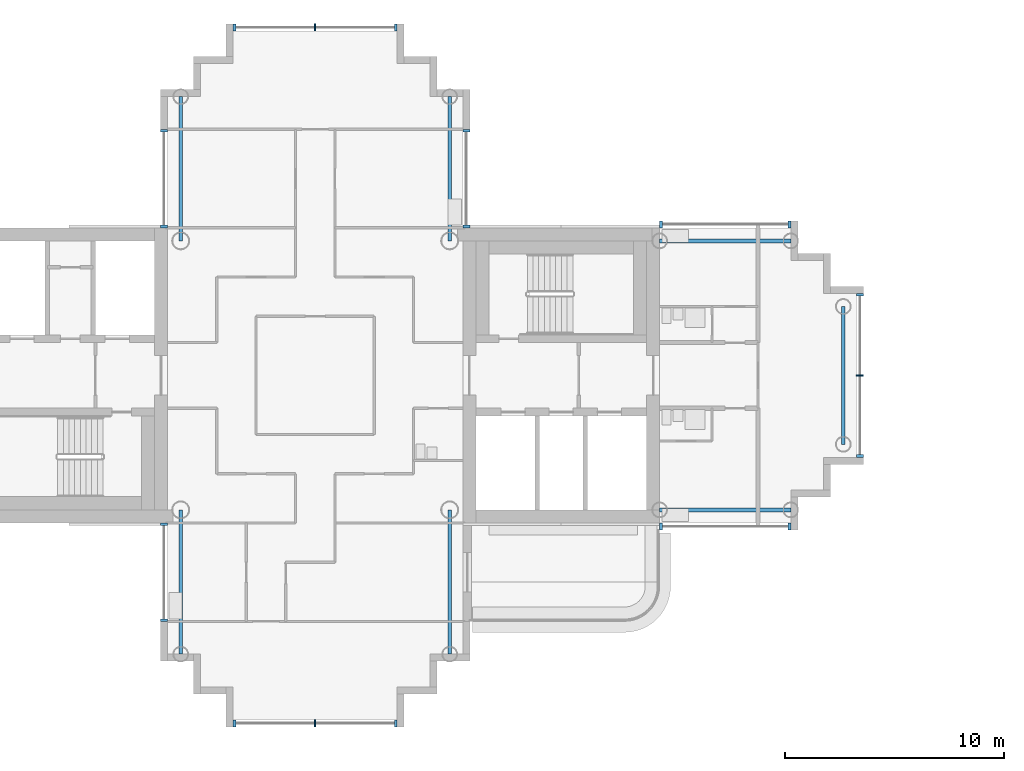
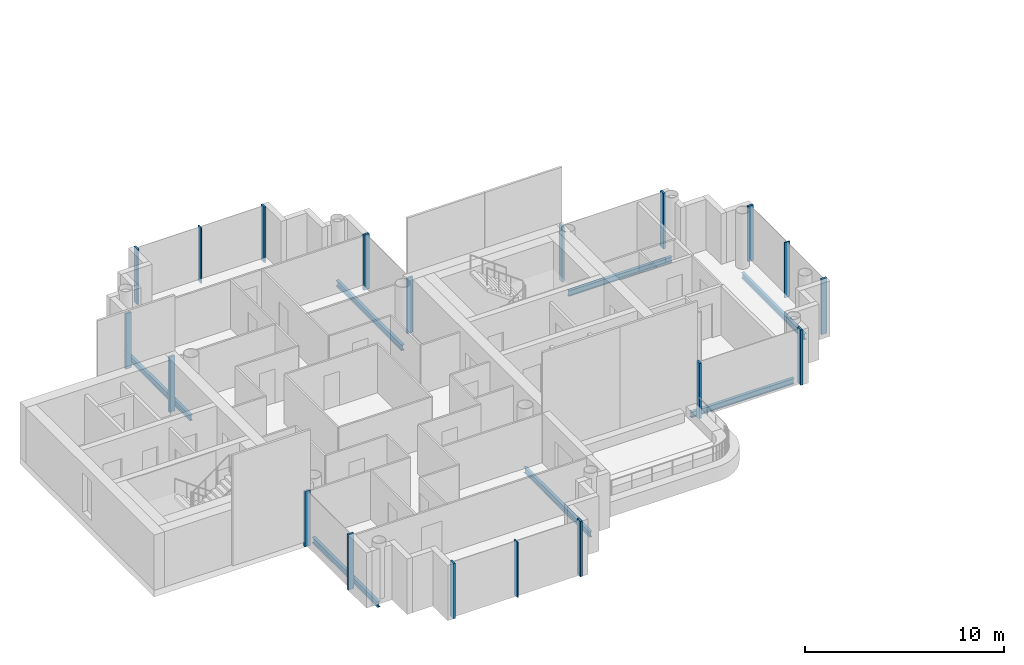
# One storey, part 3 of 18: 19 members, 7 beams, 8 elements without a shape of their own.
"""IFC4 building model written with IfcOpenShell, lengths in metres."""

from ifc_helpers import new_model, si_unit, direction, frame, origin, origin_2d, place, context, subcontext, project, spatial, rectangle, i_section, extrude, material, layer, layer_set, material_profile, profile_set, type_object, element, aggregate, save


model = new_model("IFC4")

# Units and contexts
model_context = context("Model", 3, precision=1e-05, world=origin(), true_north=direction((0.0, 1.0)))
body_context = subcontext(model_context, "Body", "Model", "MODEL_VIEW")
ifc_project = project(units=[si_unit("LENGTHUNIT", "METRE"), si_unit("AREAUNIT", "SQUARE_METRE"), si_unit("VOLUMEUNIT", "CUBIC_METRE"), si_unit("PLANEANGLEUNIT", "RADIAN"), si_unit("MASSUNIT", "GRAM", prefix="KILO")], contexts=[model_context])

# Site, building, storey
site_placement = place(None, origin())
site = spatial("IfcSite", under=ifc_project, at=site_placement, CompositionType="ELEMENT")
building_placement = place(site_placement, origin())
building = spatial("IfcBuilding", under=site, at=building_placement, Name="Ipe Terrace Towers", CompositionType="ELEMENT")
storey_placement = place(building_placement, frame((0.0, 0.0, 226.60009765625)))
storey = spatial("IfcBuildingStorey", under=building, at=storey_placement, Name="L63", CompositionType="ELEMENT", Elevation=226.60009765625)

# Beams
ifc_material_1 = material(Name="Steel S355", Category="steel")
ifc_material_profile_1 = material_profile(ifc_material_1, i_section(OverallWidth=0.175048828125, OverallDepth=0.35009765625, WebThickness=0.007080078125, FlangeThickness=0.010986328125, at=origin_2d()), Name="H-350x175x7x11")
ifc_profile_set_1 = profile_set([ifc_material_profile_1], Name="Steel S355")
beam_type = type_object("IfcBeamType", Name="H04 EDGE BEAM H-350x175x7x11", PredefinedType="BEAM", material=ifc_profile_set_1)
for number, where, z_axis, x_axis, name in (
    (1, (-20.25, -6.14990234375, -0.5751953125), (1.0, 0.0, 0.0), (0.0, 1.0, 0.0), "Edge beam T1-EB-A01-A03"),
    (2, (-20.25, 6.14990234375, -0.5751953125), (1.0, 0.0, 0.0), (0.0, 1.0, 0.0), "Edge beam T1-EB-A02-A04"),
):
    element("IfcBeam", number, at=place(storey_placement, frame(where, z_axis=z_axis, x_axis=x_axis)), inside=storey, type_object=beam_type, Name=name, PredefinedType="BEAM", context=body_context, shape_type="SweptSolid", body=[
        extrude(i_section(OverallWidth=0.175048828125, OverallDepth=0.35009765625, WebThickness=0.007080078125, FlangeThickness=0.010986328125, at=origin_2d()), origin(), (0.0, 0.0, 1.0), 6.0),
    ])
beam_placement = place(storey_placement, frame((-11.85009765625, -3.14990234375, -0.5751953125), z_axis=(0.0, 1.0, 0.0), x_axis=(-1.0, 0.0, 0.0)))
element("IfcBeam", 3, at=beam_placement, inside=storey, type_object=beam_type, Name="Edge beam T1-EB-A05-A06", PredefinedType="BEAM", context=body_context, shape_type="SweptSolid", body=[
    extrude(i_section(OverallWidth=0.175048828125, OverallDepth=0.35009765625, WebThickness=0.007080078125, FlangeThickness=0.010986328125, at=origin_2d()), origin(), (0.0, 0.0, 1.0), 6.2998046875),
])
for number, where, z_axis, x_axis, name in (
    (4, (-29.85009765625, 12.75, -0.5751953125), (0.0, -1.0, 0.0), (1.0, 0.0, 0.0), "Edge beam T1-EB-B01-E03"),
    (5, (-42.14990234375, 12.75, -0.5751953125), (0.0, -1.0, 0.0), (1.0, 0.0, 0.0), "Edge beam T1-EB-B02-E04"),
    (6, (-42.14990234375, -12.75, -0.5751953125), (0.0, 1.0, 0.0), (-1.0, 0.0, 0.0), "Edge beam T1-EB-D01-E01"),
    (7, (-29.85009765625, -12.75, -0.5751953125), (0.0, 1.0, 0.0), (-1.0, 0.0, 0.0), "Edge beam T1-EB-D02-E02"),
):
    element("IfcBeam", number, at=place(storey_placement, frame(where, z_axis=z_axis, x_axis=x_axis)), inside=storey, type_object=beam_type, Name=name, PredefinedType="BEAM", context=body_context, shape_type="SweptSolid", body=[
        extrude(i_section(OverallWidth=0.175048828125, OverallDepth=0.35009765625, WebThickness=0.007080078125, FlangeThickness=0.010986328125, at=origin_2d()), origin(), (0.0, 0.0, 1.0), 6.60009765625),
    ])

# Curtain wall, members
ifc_material_2 = material(Name="Aluminium alloy 6063-T6", Category="aluminium")
ifc_layer = layer(ifc_material_2, 0.320068359375)
ifc_layer_set = layer_set([ifc_layer], Name="TOWER UNITISED CURTAIN WALL")
curtain_wall_type = type_object("IfcCurtainWallType", Name="TOWER UNITISED CURTAIN WALL", PredefinedType="NOTDEFINED", material=ifc_layer_set)
curtain_wall_1_placement = place(storey_placement, origin())
curtain_wall_1 = element("IfcCurtainWall", 8, at=curtain_wall_1_placement, inside=storey, type_object=curtain_wall_type, Name="T1-CW-L63-02a curtain wall", PredefinedType="NOTDEFINED")
ifc_material_3 = material(Name="Aluminium alloy 6063-T6", Category="aluminium")
ifc_material_profile_2 = material_profile(ifc_material_3, rectangle(XDim=0.320068359375, YDim=0.1201171875, at=origin_2d()), Name="TOWER UNITISED CORNER MULLION 320 x 120")
ifc_profile_set_2 = profile_set([ifc_material_profile_2], Name="Aluminium alloy 6063-T6")
member_type_1 = type_object("IfcMemberType", Name="TOWER UNITISED CORNER MULLION 320 x 120", PredefinedType="MULLION", material=ifc_profile_set_2)
member_1_placement = place(storey_placement, frame((-42.909912109375, -6.81005859375, -0.300048828125), z_axis=(0.0, 0.0, 1.0), x_axis=(-1.0, 0.0, 0.0)))
member_1 = element("IfcMember", 9, at=member_1_placement, type_object=member_type_1, Name="T1-CW-L63-02a mullion 1", PredefinedType="MULLION", context=body_context, shape_type="SweptSolid", body=[
    extrude(rectangle(XDim=0.320068359375, YDim=0.1201171875, at=origin_2d()), origin(), (0.0, 0.0, 1.0), 3.39990234375),
])
member_2_placement = place(storey_placement, frame((-42.909912109375, -11.18994140625, -0.300048828125), z_axis=(0.0, 0.0, 1.0), x_axis=(-1.0, 0.0, 0.0)))
member_2 = element("IfcMember", 10, at=member_2_placement, type_object=member_type_1, Name="T1-CW-L63-02a mullion 2", PredefinedType="MULLION", context=body_context, shape_type="SweptSolid", body=[
    extrude(rectangle(XDim=0.320068359375, YDim=0.1201171875, at=origin_2d()), origin(), (0.0, 0.0, 1.0), 3.39990234375),
])
aggregate(curtain_wall_1, [member_1, member_2])

curtain_wall_2_placement = place(storey_placement, origin())
curtain_wall_2 = element("IfcCurtainWall", 11, at=curtain_wall_2_placement, inside=storey, type_object=curtain_wall_type, Name="T1-CW-L63-08a curtain wall", PredefinedType="NOTDEFINED")
member_3_placement = place(storey_placement, frame((-39.68994140625, -15.909912109375, -0.300048828125), z_axis=(0.0, 0.0, 1.0), x_axis=(0.0, -1.0, 0.0)))
member_3 = element("IfcMember", 12, at=member_3_placement, type_object=member_type_1, Name="T1-CW-L63-08a mullion 1", PredefinedType="MULLION", context=body_context, shape_type="SweptSolid", body=[
    extrude(rectangle(XDim=0.320068359375, YDim=0.1201171875, at=origin_2d()), origin(), (0.0, 0.0, 1.0), 3.39990234375),
])
member_4_placement = place(storey_placement, frame((-32.31005859375, -15.909912109375, -0.300048828125), z_axis=(0.0, 0.0, 1.0), x_axis=(0.0, -1.0, 0.0)))
member_4 = element("IfcMember", 13, at=member_4_placement, type_object=member_type_1, Name="T1-CW-L63-08a mullion 3", PredefinedType="MULLION", context=body_context, shape_type="SweptSolid", body=[
    extrude(rectangle(XDim=0.320068359375, YDim=0.1201171875, at=origin_2d()), origin(), (0.0, 0.0, 1.0), 3.39990234375),
])

curtain_wall_3_placement = place(storey_placement, origin())
curtain_wall_3 = element("IfcCurtainWall", 14, at=curtain_wall_3_placement, inside=storey, type_object=curtain_wall_type, Name="T1-CW-L63-16b curtain wall", PredefinedType="NOTDEFINED")
member_5_placement = place(storey_placement, frame((-20.18896484375, -6.909912109375, -0.300048828125), z_axis=(0.0, 0.0, 1.0), x_axis=(0.0, -1.0, 0.0)))
member_5 = element("IfcMember", 15, at=member_5_placement, type_object=member_type_1, Name="T1-CW-L63-16b mullion 1", PredefinedType="MULLION", context=body_context, shape_type="SweptSolid", body=[
    extrude(rectangle(XDim=0.320068359375, YDim=0.1201171875, at=origin_2d()), origin(), (0.0, 0.0, 1.0), 3.39990234375),
])
member_6_placement = place(storey_placement, frame((-14.31005859375, -6.909912109375, -0.300048828125), z_axis=(0.0, 0.0, 1.0), x_axis=(0.0, -1.0, 0.0)))
member_6 = element("IfcMember", 16, at=member_6_placement, type_object=member_type_1, Name="T1-CW-L63-16b mullion 2", PredefinedType="MULLION", context=body_context, shape_type="SweptSolid", body=[
    extrude(rectangle(XDim=0.320068359375, YDim=0.1201171875, at=origin_2d()), origin(), (0.0, 0.0, 1.0), 3.39990234375),
])
aggregate(curtain_wall_3, [member_5, member_6])

curtain_wall_4_placement = place(storey_placement, origin())
curtain_wall_4 = element("IfcCurtainWall", 17, at=curtain_wall_4_placement, inside=storey, type_object=curtain_wall_type, Name="T1-CW-L63-21a curtain wall", PredefinedType="NOTDEFINED")
member_7_placement = place(storey_placement, frame((-11.090087890625, -3.68994140625, -0.300048828125), z_axis=(0.0, 0.0, 1.0), x_axis=(1.0, 0.0, 0.0)))
member_7 = element("IfcMember", 18, at=member_7_placement, type_object=member_type_1, Name="T1-CW-L63-21a mullion 1", PredefinedType="MULLION", context=body_context, shape_type="SweptSolid", body=[
    extrude(rectangle(XDim=0.320068359375, YDim=0.1201171875, at=origin_2d()), origin(), (0.0, 0.0, 1.0), 3.39990234375),
])
member_8_placement = place(storey_placement, frame((-11.090087890625, 3.68994140625, -0.300048828125), z_axis=(0.0, 0.0, 1.0), x_axis=(1.0, 0.0, 0.0)))
member_8 = element("IfcMember", 19, at=member_8_placement, type_object=member_type_1, Name="T1-CW-L63-21a mullion 3", PredefinedType="MULLION", context=body_context, shape_type="SweptSolid", body=[
    extrude(rectangle(XDim=0.320068359375, YDim=0.1201171875, at=origin_2d()), origin(), (0.0, 0.0, 1.0), 3.39990234375),
])

curtain_wall_5_placement = place(storey_placement, origin())
curtain_wall_5 = element("IfcCurtainWall", 20, at=curtain_wall_5_placement, inside=storey, type_object=curtain_wall_type, Name="T1-CW-L63-26a curtain wall", PredefinedType="NOTDEFINED")
member_9_placement = place(storey_placement, frame((-14.31005859375, 6.909912109375, -0.300048828125), z_axis=(0.0, 0.0, 1.0), x_axis=(0.0, 1.0, 0.0)))
member_9 = element("IfcMember", 21, at=member_9_placement, type_object=member_type_1, Name="T1-CW-L63-26a mullion 1", PredefinedType="MULLION", context=body_context, shape_type="SweptSolid", body=[
    extrude(rectangle(XDim=0.320068359375, YDim=0.1201171875, at=origin_2d()), origin(), (0.0, 0.0, 1.0), 3.39990234375),
])
member_10_placement = place(storey_placement, frame((-20.18896484375, 6.909912109375, -0.300048828125), z_axis=(0.0, 0.0, 1.0), x_axis=(0.0, 1.0, 0.0)))
member_10 = element("IfcMember", 22, at=member_10_placement, type_object=member_type_1, Name="T1-CW-L63-26a mullion 2", PredefinedType="MULLION", context=body_context, shape_type="SweptSolid", body=[
    extrude(rectangle(XDim=0.320068359375, YDim=0.1201171875, at=origin_2d()), origin(), (0.0, 0.0, 1.0), 3.39990234375),
])
aggregate(curtain_wall_5, [member_9, member_10])

curtain_wall_6_placement = place(storey_placement, origin())
curtain_wall_6 = element("IfcCurtainWall", 23, at=curtain_wall_6_placement, inside=storey, type_object=curtain_wall_type, Name="T1-CW-L63-28a curtain wall", PredefinedType="NOTDEFINED")
member_11_placement = place(storey_placement, frame((-29.090087890625, 6.81005859375, -0.300048828125), z_axis=(0.0, 0.0, 1.0), x_axis=(1.0, 0.0, 0.0)))
member_11 = element("IfcMember", 24, at=member_11_placement, type_object=member_type_1, Name="T1-CW-L63-28a mullion 1", PredefinedType="MULLION", context=body_context, shape_type="SweptSolid", body=[
    extrude(rectangle(XDim=0.320068359375, YDim=0.1201171875, at=origin_2d()), origin(), (0.0, 0.0, 1.0), 3.39990234375),
])
member_12_placement = place(storey_placement, frame((-29.090087890625, 11.18994140625, -0.300048828125), z_axis=(0.0, 0.0, 1.0), x_axis=(1.0, 0.0, 0.0)))
member_12 = element("IfcMember", 25, at=member_12_placement, type_object=member_type_1, Name="T1-CW-L63-28a mullion 2", PredefinedType="MULLION", context=body_context, shape_type="SweptSolid", body=[
    extrude(rectangle(XDim=0.320068359375, YDim=0.1201171875, at=origin_2d()), origin(), (0.0, 0.0, 1.0), 3.39990234375),
])
aggregate(curtain_wall_6, [member_11, member_12])

curtain_wall_7_placement = place(storey_placement, origin())
curtain_wall_7 = element("IfcCurtainWall", 26, at=curtain_wall_7_placement, inside=storey, type_object=curtain_wall_type, Name="T1-CW-L63-34a curtain wall", PredefinedType="NOTDEFINED")
member_13_placement = place(storey_placement, frame((-32.31005859375, 15.909912109375, -0.300048828125), z_axis=(0.0, 0.0, 1.0), x_axis=(0.0, 1.0, 0.0)))
member_13 = element("IfcMember", 27, at=member_13_placement, type_object=member_type_1, Name="T1-CW-L63-34a mullion 1", PredefinedType="MULLION", context=body_context, shape_type="SweptSolid", body=[
    extrude(rectangle(XDim=0.320068359375, YDim=0.1201171875, at=origin_2d()), origin(), (0.0, 0.0, 1.0), 3.39990234375),
])
member_14_placement = place(storey_placement, frame((-39.68994140625, 15.909912109375, -0.300048828125), z_axis=(0.0, 0.0, 1.0), x_axis=(0.0, 1.0, 0.0)))
member_14 = element("IfcMember", 28, at=member_14_placement, type_object=member_type_1, Name="T1-CW-L63-34a mullion 3", PredefinedType="MULLION", context=body_context, shape_type="SweptSolid", body=[
    extrude(rectangle(XDim=0.320068359375, YDim=0.1201171875, at=origin_2d()), origin(), (0.0, 0.0, 1.0), 3.39990234375),
])

curtain_wall_8_placement = place(storey_placement, origin())
curtain_wall_8 = element("IfcCurtainWall", 29, at=curtain_wall_8_placement, inside=storey, type_object=curtain_wall_type, Name="T1-CW-L63-40a curtain wall", PredefinedType="NOTDEFINED")
member_15_placement = place(storey_placement, frame((-42.909912109375, 11.18994140625, -0.300048828125), z_axis=(0.0, 0.0, 1.0), x_axis=(-1.0, 0.0, 0.0)))
member_15 = element("IfcMember", 30, at=member_15_placement, type_object=member_type_1, Name="T1-CW-L63-40a mullion 1", PredefinedType="MULLION", context=body_context, shape_type="SweptSolid", body=[
    extrude(rectangle(XDim=0.320068359375, YDim=0.1201171875, at=origin_2d()), origin(), (0.0, 0.0, 1.0), 3.39990234375),
])
member_16_placement = place(storey_placement, frame((-42.909912109375, 6.81005859375, -0.300048828125), z_axis=(0.0, 0.0, 1.0), x_axis=(-1.0, 0.0, 0.0)))
member_16 = element("IfcMember", 31, at=member_16_placement, type_object=member_type_1, Name="T1-CW-L63-40a mullion 2", PredefinedType="MULLION", context=body_context, shape_type="SweptSolid", body=[
    extrude(rectangle(XDim=0.320068359375, YDim=0.1201171875, at=origin_2d()), origin(), (0.0, 0.0, 1.0), 3.39990234375),
])
aggregate(curtain_wall_8, [member_15, member_16])

# Member
ifc_material_4 = material(Name="Aluminium alloy 6063-T6", Category="aluminium")
ifc_material_profile_3 = material_profile(ifc_material_4, rectangle(XDim=0.320068359375, YDim=0.06494140625, at=origin_2d()), Name="TOWER UNITISED MULLION 320 x 65")
ifc_profile_set_3 = profile_set([ifc_material_profile_3], Name="Aluminium alloy 6063-T6")
member_type_2 = type_object("IfcMemberType", Name="TOWER UNITISED MULLION 320 x 65", PredefinedType="MULLION", material=ifc_profile_set_3)
member_17_placement = place(storey_placement, frame((-36.0, -15.909912109375, -0.300048828125), z_axis=(0.0, 0.0, 1.0), x_axis=(0.0, -1.0, 0.0)))
member_17 = element("IfcMember", 32, at=member_17_placement, type_object=member_type_2, Name="T1-CW-L63-08a mullion 2", PredefinedType="MULLION", context=body_context, shape_type="SweptSolid", body=[
    extrude(rectangle(XDim=0.320068359375, YDim=0.06494140625, at=origin_2d()), origin(), (0.0, 0.0, 1.0), 3.39990234375),
])

aggregate(curtain_wall_2, [member_3, member_17, member_4])

member_18_placement = place(storey_placement, frame((-11.090087890625, 0.0, -0.300048828125), z_axis=(0.0, 0.0, 1.0), x_axis=(1.0, 0.0, 0.0)))
member_18 = element("IfcMember", 33, at=member_18_placement, type_object=member_type_2, Name="T1-CW-L63-21a mullion 2", PredefinedType="MULLION", context=body_context, shape_type="SweptSolid", body=[
    extrude(rectangle(XDim=0.320068359375, YDim=0.06494140625, at=origin_2d()), origin(), (0.0, 0.0, 1.0), 3.39990234375),
])

aggregate(curtain_wall_4, [member_7, member_18, member_8])

member_19_placement = place(storey_placement, frame((-36.0, 15.909912109375, -0.300048828125), z_axis=(0.0, 0.0, 1.0), x_axis=(0.0, 1.0, 0.0)))
member_19 = element("IfcMember", 34, at=member_19_placement, type_object=member_type_2, Name="T1-CW-L63-34a mullion 2", PredefinedType="MULLION", context=body_context, shape_type="SweptSolid", body=[
    extrude(rectangle(XDim=0.320068359375, YDim=0.06494140625, at=origin_2d()), origin(), (0.0, 0.0, 1.0), 3.39990234375),
])

aggregate(curtain_wall_7, [member_13, member_19, member_14])

save(model, "model.ifc")
